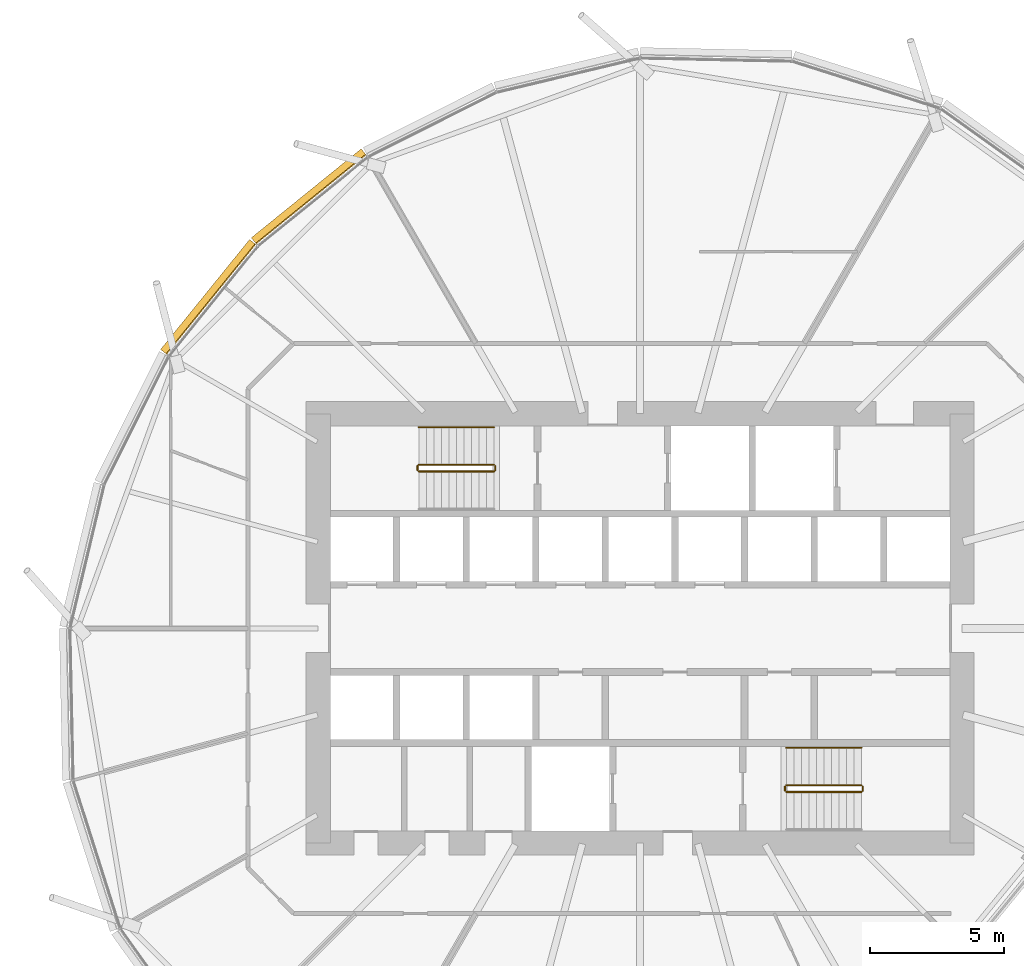
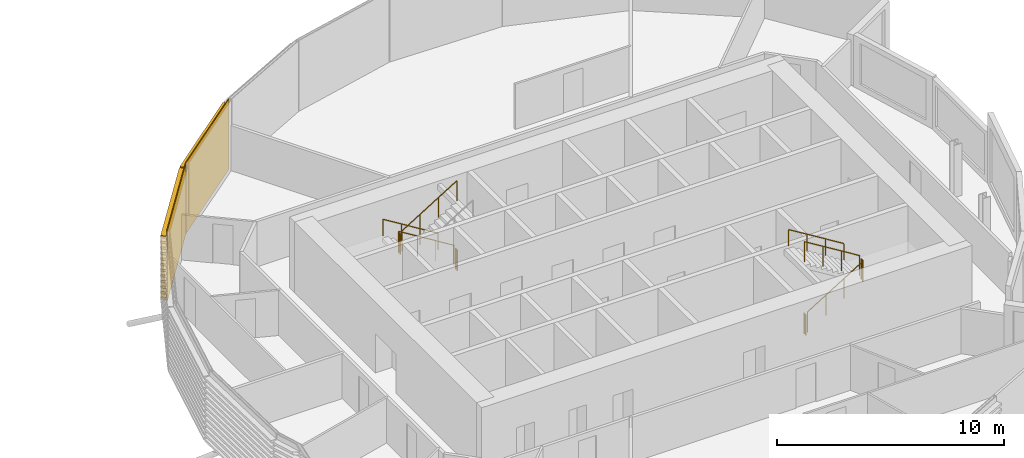
# One storey, part 37 of 38: 10 railings, 2 coverings.
"""IFC4 building model written with IfcOpenShell, lengths in metres."""

from ifc_helpers import new_model, si_unit, direction, frame, origin, origin_2d, place, context, subcontext, project, spatial, polyline, circle, outline, extrude, material, material_profile, profile_set, type_object, element, save


model = new_model("IFC4")

# Units and contexts
model_context = context("Model", 3, precision=1e-05, world=origin(), true_north=direction((0.0, 1.0)))
body_context = subcontext(model_context, "Body", "Model", "MODEL_VIEW")
ifc_project = project(units=[si_unit("LENGTHUNIT", "METRE"), si_unit("AREAUNIT", "SQUARE_METRE"), si_unit("VOLUMEUNIT", "CUBIC_METRE"), si_unit("PLANEANGLEUNIT", "RADIAN"), si_unit("MASSUNIT", "GRAM", prefix="KILO")], contexts=[model_context])

# Site, building, storey
site_placement = place(None, origin())
site = spatial("IfcSite", under=ifc_project, at=site_placement, CompositionType="ELEMENT")
building_placement = place(site_placement, origin())
building = spatial("IfcBuilding", under=site, at=building_placement, Name="Rimbun Link Towers", CompositionType="ELEMENT")
storey_placement = place(building_placement, frame((0.0, 0.0, 49.0)))
storey = spatial("IfcBuildingStorey", under=building, at=storey_placement, Name="L11", CompositionType="ELEMENT", Elevation=49.0)

# Railings
ifc_material_1 = material(Name="Stainless steel grade 316", Category="steel")
railing_type_1 = type_object("IfcRailingType", Name="Stair guard", PredefinedType="GUARDRAIL", material=ifc_material_1)
railing_1_placement = place(storey_placement, frame((26.300048828125, 6.10009765625, 0.172607421875)))
element("IfcRailing", 1, at=railing_1_placement, inside=storey, type_object=railing_type_1, Name="L11 ST3 stair guard 1", PredefinedType="GUARDRAIL", context=body_context, shape_type="SweptSolid", body=[
    extrude(circle(Radius=0.02392578125, at=origin_2d()), frame((0.0, 0.0, 1.076171875), z_axis=(-0.851089632645, 0.0, 0.525020415988), x_axis=(0.0, -1.0, 0.0)), (0.0, 0.0, 1.0), 3.2900390625),
    extrude(circle(Radius=0.02099609375, at=origin_2d()), origin(), (0.0, 0.0, 1.0), 1.052001953125),
    extrude(circle(Radius=0.02099609375, at=origin_2d()), frame((-0.933349609375, 0.0, 0.57568359375)), (0.0, 0.0, 1.0), 1.052001953125),
    extrude(circle(Radius=0.02099609375, at=origin_2d()), frame((-1.86669921875, 0.0, 1.151611328125)), (0.0, 0.0, 1.0), 1.052001953125),
    extrude(circle(Radius=0.02099609375, at=origin_2d()), frame((-2.800048828125, 0.0, 1.727294921875)), (0.0, 0.0, 1.0), 1.052001953125),
])
railing_2_placement = place(storey_placement, frame((23.449951171875, 6.050048828125, 1.89990234375)))
element("IfcRailing", 2, at=railing_2_placement, inside=storey, type_object=railing_type_1, Name="L11 ST3 stair guard 2", PredefinedType="GUARDRAIL", context=body_context, shape_type="SweptSolid", body=[
    extrude(circle(Radius=0.02392578125, at=origin_2d()), frame((0.0, 0.0, 1.076171875), z_axis=(0.0, -1.0, 0.0), x_axis=(1.0, 0.0, 0.0)), (0.0, 0.0, 1.0), 0.150146484375),
    extrude(circle(Radius=0.02099609375, at=origin_2d()), origin(), (0.0, 0.0, 1.0), 1.052001953125),
    extrude(circle(Radius=0.02099609375, at=origin_2d()), frame((0.0, -0.150146484375, 0.0)), (0.0, 0.0, 1.0), 1.052001953125),
])
railing_3_placement = place(storey_placement, frame((23.5, 5.85009765625, 2.07275390625)))
element("IfcRailing", 3, at=railing_3_placement, inside=storey, type_object=railing_type_1, Name="L11 ST3 stair guard 3", PredefinedType="GUARDRAIL", context=body_context, shape_type="SweptSolid", body=[
    extrude(circle(Radius=0.02392578125, at=origin_2d()), frame((0.0, 0.0, 1.076171875), z_axis=(0.851089632645, 0.0, 0.525020415988), x_axis=(0.0, 1.0, 0.0)), (0.0, 0.0, 1.0), 3.2900390625),
    extrude(circle(Radius=0.02099609375, at=origin_2d()), origin(), (0.0, 0.0, 1.0), 1.052001953125),
    extrude(circle(Radius=0.02099609375, at=origin_2d()), frame((0.933349609375, 0.0, 0.57568359375)), (0.0, 0.0, 1.0), 1.052001953125),
    extrude(circle(Radius=0.02099609375, at=origin_2d()), frame((1.86669921875, 0.0, 1.151611328125)), (0.0, 0.0, 1.0), 1.052001953125),
    extrude(circle(Radius=0.02099609375, at=origin_2d()), frame((2.800048828125, 0.0, 1.727294921875)), (0.0, 0.0, 1.0), 1.052001953125),
])
railing_4_placement = place(storey_placement, frame((26.35009765625, 6.050048828125, 0.0)))
element("IfcRailing", 4, at=railing_4_placement, inside=storey, type_object=railing_type_1, Name="L11 ST3 stair guard 4", PredefinedType="GUARDRAIL", context=body_context, shape_type="SweptSolid", body=[
    extrude(circle(Radius=0.02392578125, at=origin_2d()), frame((0.0, 0.0, 1.076171875), z_axis=(0.0, -1.0, 0.0), x_axis=(1.0, 0.0, 0.0)), (0.0, 0.0, 1.0), 0.150146484375),
    extrude(circle(Radius=0.02099609375, at=origin_2d()), origin(), (0.0, 0.0, 1.0), 1.052001953125),
    extrude(circle(Radius=0.02099609375, at=origin_2d()), frame((0.0, -0.150146484375, 0.0)), (0.0, 0.0, 1.0), 1.052001953125),
])
railing_5_placement = place(storey_placement, frame((37.199951171875, -6.10009765625, 0.172607421875)))
element("IfcRailing", 5, at=railing_5_placement, inside=storey, type_object=railing_type_1, Name="L11 ST4 stair guard 1", PredefinedType="GUARDRAIL", context=body_context, shape_type="SweptSolid", body=[
    extrude(circle(Radius=0.02392578125, at=origin_2d()), frame((0.0, 0.0, 1.076171875), z_axis=(0.851089632645, 0.0, 0.525020415988), x_axis=(0.0, 1.0, 0.0)), (0.0, 0.0, 1.0), 3.2900390625),
    extrude(circle(Radius=0.02099609375, at=origin_2d()), origin(), (0.0, 0.0, 1.0), 1.052001953125),
    extrude(circle(Radius=0.02099609375, at=origin_2d()), frame((0.933349609375, 0.0, 0.57568359375)), (0.0, 0.0, 1.0), 1.052001953125),
    extrude(circle(Radius=0.02099609375, at=origin_2d()), frame((1.86669921875, 0.0, 1.151611328125)), (0.0, 0.0, 1.0), 1.052001953125),
    extrude(circle(Radius=0.02099609375, at=origin_2d()), frame((2.800048828125, 0.0, 1.727294921875)), (0.0, 0.0, 1.0), 1.052001953125),
])
railing_6_placement = place(storey_placement, frame((40.050048828125, -6.050048828125, 1.89990234375)))
element("IfcRailing", 6, at=railing_6_placement, inside=storey, type_object=railing_type_1, Name="L11 ST4 stair guard 2", PredefinedType="GUARDRAIL", context=body_context, shape_type="SweptSolid", body=[
    extrude(circle(Radius=0.02392578125, at=origin_2d()), frame((0.0, 0.0, 1.076171875), z_axis=(0.0, 1.0, 0.0), x_axis=(-1.0, 0.0, 0.0)), (0.0, 0.0, 1.0), 0.150146484375),
    extrude(circle(Radius=0.02099609375, at=origin_2d()), origin(), (0.0, 0.0, 1.0), 1.052001953125),
    extrude(circle(Radius=0.02099609375, at=origin_2d()), frame((0.0, 0.150146484375, 0.0)), (0.0, 0.0, 1.0), 1.052001953125),
])
railing_7_placement = place(storey_placement, frame((40.0, -5.85009765625, 2.07275390625)))
element("IfcRailing", 7, at=railing_7_placement, inside=storey, type_object=railing_type_1, Name="L11 ST4 stair guard 3", PredefinedType="GUARDRAIL", context=body_context, shape_type="SweptSolid", body=[
    extrude(circle(Radius=0.02392578125, at=origin_2d()), frame((0.0, 0.0, 1.076171875), z_axis=(-0.851089632645, 0.0, 0.525020415988), x_axis=(0.0, -1.0, 0.0)), (0.0, 0.0, 1.0), 3.2900390625),
    extrude(circle(Radius=0.02099609375, at=origin_2d()), origin(), (0.0, 0.0, 1.0), 1.052001953125),
    extrude(circle(Radius=0.02099609375, at=origin_2d()), frame((-0.933349609375, 0.0, 0.57568359375)), (0.0, 0.0, 1.0), 1.052001953125),
    extrude(circle(Radius=0.02099609375, at=origin_2d()), frame((-1.86669921875, 0.0, 1.151611328125)), (0.0, 0.0, 1.0), 1.052001953125),
    extrude(circle(Radius=0.02099609375, at=origin_2d()), frame((-2.800048828125, 0.0, 1.727294921875)), (0.0, 0.0, 1.0), 1.052001953125),
])
railing_8_placement = place(storey_placement, frame((37.14990234375, -6.050048828125, 0.0)))
element("IfcRailing", 8, at=railing_8_placement, inside=storey, type_object=railing_type_1, Name="L11 ST4 stair guard 4", PredefinedType="GUARDRAIL", context=body_context, shape_type="SweptSolid", body=[
    extrude(circle(Radius=0.02392578125, at=origin_2d()), frame((0.0, 0.0, 1.076171875), z_axis=(0.0, 1.0, 0.0), x_axis=(-1.0, 0.0, 0.0)), (0.0, 0.0, 1.0), 0.150146484375),
    extrude(circle(Radius=0.02099609375, at=origin_2d()), origin(), (0.0, 0.0, 1.0), 1.052001953125),
    extrude(circle(Radius=0.02099609375, at=origin_2d()), frame((0.0, 0.150146484375, 0.0)), (0.0, 0.0, 1.0), 1.052001953125),
])
ifc_material_2 = material(Name="Stainless steel grade 316", Category="steel")
railing_type_2 = type_object("IfcRailingType", Name="Stair handrail", PredefinedType="HANDRAIL", material=ifc_material_2)
for number, where, name in (
    (9, (26.300048828125, 7.5, 0.172607421875), "L11 ST3 stair handrail 1"),
    (10, (40.0, -4.449951171875, 2.07275390625), "L11 ST4 stair handrail 2"),
):
    element("IfcRailing", number, at=place(storey_placement, frame(where)), inside=storey, type_object=railing_type_2, Name=name, PredefinedType="HANDRAIL", context=body_context, shape_type="SweptSolid", body=[
        extrude(circle(Radius=0.02392578125, at=origin_2d()), frame((0.0, 0.0, 0.8759765625), z_axis=(-0.851089632645, 0.0, 0.525020415988), x_axis=(0.0, -1.0, 0.0)), (0.0, 0.0, 1.0), 3.2900390625),
        extrude(circle(Radius=0.02099609375, at=origin_2d()), origin(), (0.0, 0.0, 1.0), 0.851806640625),
        extrude(circle(Radius=0.02099609375, at=origin_2d()), frame((-0.933349609375, 0.0, 0.57568359375)), (0.0, 0.0, 1.0), 0.851806640625),
        extrude(circle(Radius=0.02099609375, at=origin_2d()), frame((-1.86669921875, 0.0, 1.151611328125)), (0.0, 0.0, 1.0), 0.851806640625),
        extrude(circle(Radius=0.02099609375, at=origin_2d()), frame((-2.800048828125, 0.0, 1.727294921875)), (0.0, 0.0, 1.0), 0.851806640625),
    ])

# Coverings
ifc_material_3 = material(Name="Terracotta", Category="masonry")
ifc_material_profile = material_profile(ifc_material_3, outline(polyline([(0.123046875, 0.0), (0.1630859375, 0.0), (0.1630859375, 0.10009765625), (0.423095703125, 0.10009765625), (0.423095703125, 0.219970703125), (0.1630859375, 0.219970703125), (0.1630859375, 0.39990234375), (0.423095703125, 0.39990234375), (0.423095703125, 0.52001953125), (0.1630859375, 0.52001953125), (0.1630859375, 0.699951171875), (0.423095703125, 0.699951171875), (0.423095703125, 0.820068359375), (0.1630859375, 0.820068359375), (0.1630859375, 1.0), (0.423095703125, 1.0), (0.423095703125, 1.1201171875), (0.1630859375, 1.1201171875), (0.1630859375, 1.300048828125), (0.423095703125, 1.300048828125), (0.423095703125, 1.419921875), (0.1630859375, 1.419921875), (0.1630859375, 1.60009765625), (0.423095703125, 1.60009765625), (0.423095703125, 1.719970703125), (0.1630859375, 1.719970703125), (0.1630859375, 1.89990234375), (0.423095703125, 1.89990234375), (0.423095703125, 2.02001953125), (0.1630859375, 2.02001953125), (0.1630859375, 2.199951171875), (0.423095703125, 2.199951171875), (0.423095703125, 2.320068359375), (0.1630859375, 2.320068359375), (0.1630859375, 2.5), (0.423095703125, 2.5), (0.423095703125, 2.6201171875), (0.1630859375, 2.6201171875), (0.1630859375, 2.800048828125), (0.423095703125, 2.800048828125), (0.423095703125, 2.919921875), (0.1630859375, 2.919921875), (0.1630859375, 3.10009765625), (0.423095703125, 3.10009765625), (0.423095703125, 3.219970703125), (0.1630859375, 3.219970703125), (0.1630859375, 3.39990234375), (0.423095703125, 3.39990234375), (0.423095703125, 3.52001953125), (0.1630859375, 3.52001953125), (0.1630859375, 3.800048828125), (0.123046875, 3.800048828125), (0.123046875, 0.0)])), Name="BAGUETTE 120X300")
ifc_profile_set = profile_set([ifc_material_profile], Name="Terracotta")
covering_type = type_object("IfcCoveringType", Name="TERRACOTTA BAGUETTE 120X300 H3800", PredefinedType="CLADDING", material=ifc_profile_set)
for number, where, z_axis, x_axis, name in (
    (11, (17.518310546875, 14.231689453125, 0.0), (0.777283678148, 0.629150287041, 0.0), (-0.629150287041, 0.777283678148, 0.0), "TERRACOTTA BAGUETTE"),
    (12, (14.2001953125, 10.13232421875, 0.0), (0.629150287041, 0.777283678148, 0.0), (-0.777283678148, 0.629150287041, 0.0), "TERRACOTTA BAGUETTE"),
):
    element("IfcCovering", number, at=place(storey_placement, frame(where, z_axis=z_axis, x_axis=x_axis)), inside=storey, type_object=covering_type, Name=name, PredefinedType="CLADDING", context=body_context, shape_type="SweptSolid", body=[
        extrude(outline(polyline([(0.123046875, 0.0), (0.1630859375, 0.0), (0.1630859375, 0.10009765625), (0.423095703125, 0.10009765625), (0.423095703125, 0.219970703125), (0.1630859375, 0.219970703125), (0.1630859375, 0.39990234375), (0.423095703125, 0.39990234375), (0.423095703125, 0.52001953125), (0.1630859375, 0.52001953125), (0.1630859375, 0.699951171875), (0.423095703125, 0.699951171875), (0.423095703125, 0.820068359375), (0.1630859375, 0.820068359375), (0.1630859375, 1.0), (0.423095703125, 1.0), (0.423095703125, 1.1201171875), (0.1630859375, 1.1201171875), (0.1630859375, 1.300048828125), (0.423095703125, 1.300048828125), (0.423095703125, 1.419921875), (0.1630859375, 1.419921875), (0.1630859375, 1.60009765625), (0.423095703125, 1.60009765625), (0.423095703125, 1.719970703125), (0.1630859375, 1.719970703125), (0.1630859375, 1.89990234375), (0.423095703125, 1.89990234375), (0.423095703125, 2.02001953125), (0.1630859375, 2.02001953125), (0.1630859375, 2.199951171875), (0.423095703125, 2.199951171875), (0.423095703125, 2.320068359375), (0.1630859375, 2.320068359375), (0.1630859375, 2.5), (0.423095703125, 2.5), (0.423095703125, 2.6201171875), (0.1630859375, 2.6201171875), (0.1630859375, 2.800048828125), (0.423095703125, 2.800048828125), (0.423095703125, 2.919921875), (0.1630859375, 2.919921875), (0.1630859375, 3.10009765625), (0.423095703125, 3.10009765625), (0.423095703125, 3.219970703125), (0.1630859375, 3.219970703125), (0.1630859375, 3.39990234375), (0.423095703125, 3.39990234375), (0.423095703125, 3.52001953125), (0.1630859375, 3.52001953125), (0.1630859375, 3.800048828125), (0.123046875, 3.800048828125), (0.123046875, 0.0)])), origin(), (0.0, 0.0, 1.0), 5.27392578125),
    ])

save(model, "model.ifc")
